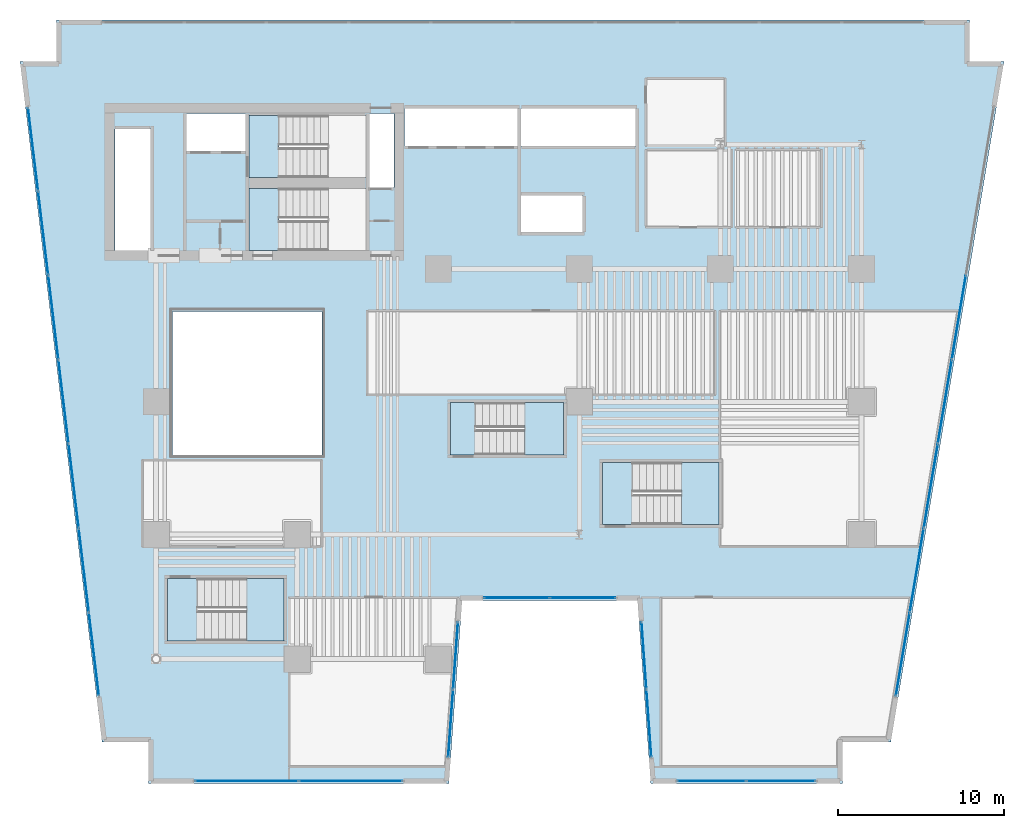
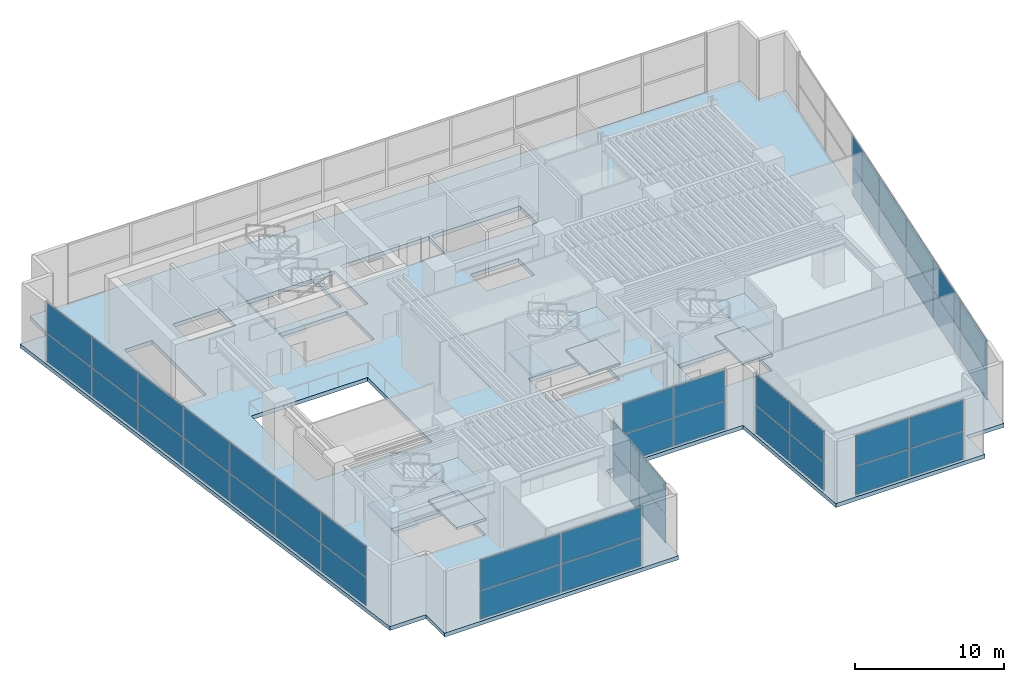
# One storey, part 7 of 16: 44 plates, 12 slabs, 12 elements without a shape of their own.
"""IFC4 building model written with IfcOpenShell, lengths in metres."""

from ifc_helpers import new_model, si_unit, direction, frame, origin, origin_2d, place, context, subcontext, project, spatial, polyline, rectangle, outline, extrude, material, layer, layer_set, type_object, element, aggregate, save


model = new_model("IFC4")

# Units and contexts
model_context = context("Model", 3, precision=1e-05, world=origin(), true_north=direction((0.0, 1.0)))
body_context = subcontext(model_context, "Body", "Model", "MODEL_VIEW")
ifc_project = project(units=[si_unit("LENGTHUNIT", "METRE"), si_unit("AREAUNIT", "SQUARE_METRE"), si_unit("VOLUMEUNIT", "CUBIC_METRE"), si_unit("PLANEANGLEUNIT", "RADIAN"), si_unit("MASSUNIT", "GRAM", prefix="KILO")], contexts=[model_context])

# Site, building, storey
site_placement = place(None, origin())
site = spatial("IfcSite", under=ifc_project, at=site_placement, CompositionType="ELEMENT")
building_placement = place(site_placement, origin())
building = spatial("IfcBuilding", under=site, at=building_placement, Name="Caeloran Harvest Quay", CompositionType="ELEMENT")
storey_placement = place(building_placement, frame((0.0, 0.0, 16.199951171875)))
storey = spatial("IfcBuildingStorey", under=building, at=storey_placement, Name="L04", CompositionType="ELEMENT", Elevation=16.199951171875)

# Curtain wall, plates
ifc_material_1 = material(Name="Aluminium 6063-T6 and Low-E Glazing", Category="aluminium")
ifc_layer_1 = layer(ifc_material_1, 0.179931640625, Name="Aluminium 6063-T6 and Low-E Glazing")
ifc_layer_set_1 = layer_set([ifc_layer_1], Name="Aluminium 6063-T6 and Low-E Glazing")
curtain_wall_type = type_object("IfcCurtainWallType", Name="CW-SYS-CW-1", PredefinedType="USERDEFINED", material=ifc_layer_set_1)
curtain_wall_1_placement = place(storey_placement, origin())
curtain_wall_1 = element("IfcCurtainWall", 1, at=curtain_wall_1_placement, inside=storey, type_object=curtain_wall_type, Name="L04 Unitised Curtain Wall CW-1 Run 3", ObjectType="CURTAIN_WALL", PredefinedType="USERDEFINED")
ifc_material_2 = material(Name="Low-E Double Glazed Vision Glass Unit", Category="glass")
ifc_layer_2 = layer(ifc_material_2, 0.035888671875, Name="Low-E Double Glazed Vision Glass Unit")
ifc_layer_set_2 = layer_set([ifc_layer_2], Name="Low-E Double Glazed Vision Glass Unit")
plate_type = type_object("IfcPlateType", Name="CW-VISION-PANEL", PredefinedType="CURTAIN_PANEL", material=ifc_layer_set_2)
plate_1_placement = place(storey_placement, frame((4.75634765625, 7.78955078125, 0.080078125), z_axis=(0.0, 0.0, 1.0), x_axis=(-0.11965503681, 0.992815527762, 0.0)))
plate_1 = element("IfcPlate", 2, at=plate_1_placement, type_object=plate_type, Name="CW-1 panel 1.1", PredefinedType="CURTAIN_PANEL", context=body_context, shape_type="SweptSolid", body=[
    extrude(rectangle(XDim=4.993408203125, YDim=0.035888671875, at=origin_2d()), origin(), (0.0, 0.0, 1.0), 2.280029296875),
])
plate_2_placement = place(storey_placement, frame((4.75634765625, 7.78955078125, 2.43994140625), z_axis=(0.0, 0.0, 1.0), x_axis=(-0.11965503681, 0.992815527762, 0.0)))
plate_2 = element("IfcPlate", 3, at=plate_2_placement, type_object=plate_type, Name="CW-1 panel 1.2", PredefinedType="CURTAIN_PANEL", context=body_context, shape_type="SweptSolid", body=[
    extrude(rectangle(XDim=4.993408203125, YDim=0.035888671875, at=origin_2d()), origin(), (0.0, 0.0, 1.0), 2.47998046875),
])
plate_3_placement = place(storey_placement, frame((4.146728515625, 12.846435546875, 0.080078125), z_axis=(0.0, 0.0, 1.0), x_axis=(-0.11965503681, 0.992815527762, 0.0)))
plate_3 = element("IfcPlate", 4, at=plate_3_placement, type_object=plate_type, Name="CW-1 panel 2.1", PredefinedType="CURTAIN_PANEL", context=body_context, shape_type="SweptSolid", body=[
    extrude(rectangle(XDim=5.033447265625, YDim=0.035888671875, at=origin_2d()), origin(), (0.0, 0.0, 1.0), 2.280029296875),
])
plate_4_placement = place(storey_placement, frame((4.146728515625, 12.846435546875, 2.43994140625), z_axis=(0.0, 0.0, 1.0), x_axis=(-0.11965503681, 0.992815527762, 0.0)))
plate_4 = element("IfcPlate", 5, at=plate_4_placement, type_object=plate_type, Name="CW-1 panel 2.2", PredefinedType="CURTAIN_PANEL", context=body_context, shape_type="SweptSolid", body=[
    extrude(rectangle(XDim=5.033447265625, YDim=0.035888671875, at=origin_2d()), origin(), (0.0, 0.0, 1.0), 2.47998046875),
])
plate_5_placement = place(storey_placement, frame((3.534912109375, 17.92333984375, 0.080078125), z_axis=(0.0, 0.0, 1.0), x_axis=(-0.11965503681, 0.992815527762, 0.0)))
plate_5 = element("IfcPlate", 6, at=plate_5_placement, type_object=plate_type, Name="CW-1 panel 3.1", PredefinedType="CURTAIN_PANEL", context=body_context, shape_type="SweptSolid", body=[
    extrude(rectangle(XDim=5.033447265625, YDim=0.035888671875, at=origin_2d()), origin(), (0.0, 0.0, 1.0), 2.280029296875),
])
plate_6_placement = place(storey_placement, frame((3.534912109375, 17.92333984375, 2.43994140625), z_axis=(0.0, 0.0, 1.0), x_axis=(-0.11965503681, 0.992815527762, 0.0)))
plate_6 = element("IfcPlate", 7, at=plate_6_placement, type_object=plate_type, Name="CW-1 panel 3.2", PredefinedType="CURTAIN_PANEL", context=body_context, shape_type="SweptSolid", body=[
    extrude(rectangle(XDim=5.033447265625, YDim=0.035888671875, at=origin_2d()), origin(), (0.0, 0.0, 1.0), 2.47998046875),
])
plate_7_placement = place(storey_placement, frame((2.923095703125, 23.0, 0.080078125), z_axis=(0.0, 0.0, 1.0), x_axis=(-0.11965503681, 0.992815527762, 0.0)))
plate_7 = element("IfcPlate", 8, at=plate_7_placement, type_object=plate_type, Name="CW-1 panel 4.1", PredefinedType="CURTAIN_PANEL", context=body_context, shape_type="SweptSolid", body=[
    extrude(rectangle(XDim=5.033447265625, YDim=0.035888671875, at=origin_2d()), origin(), (0.0, 0.0, 1.0), 2.280029296875),
])
plate_8_placement = place(storey_placement, frame((2.923095703125, 23.0, 2.43994140625), z_axis=(0.0, 0.0, 1.0), x_axis=(-0.11965503681, 0.992815527762, 0.0)))
plate_8 = element("IfcPlate", 9, at=plate_8_placement, type_object=plate_type, Name="CW-1 panel 4.2", PredefinedType="CURTAIN_PANEL", context=body_context, shape_type="SweptSolid", body=[
    extrude(rectangle(XDim=5.033447265625, YDim=0.035888671875, at=origin_2d()), origin(), (0.0, 0.0, 1.0), 2.47998046875),
])
plate_9_placement = place(storey_placement, frame((2.311279296875, 28.07666015625, 0.080078125), z_axis=(0.0, 0.0, 1.0), x_axis=(-0.11965503681, 0.992815527762, 0.0)))
plate_9 = element("IfcPlate", 10, at=plate_9_placement, type_object=plate_type, Name="CW-1 panel 5.1", PredefinedType="CURTAIN_PANEL", context=body_context, shape_type="SweptSolid", body=[
    extrude(rectangle(XDim=5.033447265625, YDim=0.035888671875, at=origin_2d()), origin(), (0.0, 0.0, 1.0), 2.280029296875),
])
plate_10_placement = place(storey_placement, frame((2.311279296875, 28.07666015625, 2.43994140625), z_axis=(0.0, 0.0, 1.0), x_axis=(-0.11965503681, 0.992815527762, 0.0)))
plate_10 = element("IfcPlate", 11, at=plate_10_placement, type_object=plate_type, Name="CW-1 panel 5.2", PredefinedType="CURTAIN_PANEL", context=body_context, shape_type="SweptSolid", body=[
    extrude(rectangle(XDim=5.033447265625, YDim=0.035888671875, at=origin_2d()), origin(), (0.0, 0.0, 1.0), 2.47998046875),
])
plate_11_placement = place(storey_placement, frame((1.699462890625, 33.153564453125, 0.080078125), z_axis=(0.0, 0.0, 1.0), x_axis=(-0.11965503681, 0.992815527762, 0.0)))
plate_11 = element("IfcPlate", 12, at=plate_11_placement, type_object=plate_type, Name="CW-1 panel 6.1", PredefinedType="CURTAIN_PANEL", context=body_context, shape_type="SweptSolid", body=[
    extrude(rectangle(XDim=5.033447265625, YDim=0.035888671875, at=origin_2d()), origin(), (0.0, 0.0, 1.0), 2.280029296875),
])
plate_12_placement = place(storey_placement, frame((1.699462890625, 33.153564453125, 2.43994140625), z_axis=(0.0, 0.0, 1.0), x_axis=(-0.11965503681, 0.992815527762, 0.0)))
plate_12 = element("IfcPlate", 13, at=plate_12_placement, type_object=plate_type, Name="CW-1 panel 6.2", PredefinedType="CURTAIN_PANEL", context=body_context, shape_type="SweptSolid", body=[
    extrude(rectangle(XDim=5.033447265625, YDim=0.035888671875, at=origin_2d()), origin(), (0.0, 0.0, 1.0), 2.47998046875),
])
plate_13_placement = place(storey_placement, frame((1.08984375, 38.21044921875, 0.080078125), z_axis=(0.0, 0.0, 1.0), x_axis=(-0.11965503681, 0.992815527762, 0.0)))
plate_13 = element("IfcPlate", 14, at=plate_13_placement, type_object=plate_type, Name="CW-1 panel 7.1", PredefinedType="CURTAIN_PANEL", context=body_context, shape_type="SweptSolid", body=[
    extrude(rectangle(XDim=4.993408203125, YDim=0.035888671875, at=origin_2d()), origin(), (0.0, 0.0, 1.0), 2.280029296875),
])
plate_14_placement = place(storey_placement, frame((1.08984375, 38.21044921875, 2.43994140625), z_axis=(0.0, 0.0, 1.0), x_axis=(-0.11965503681, 0.992815527762, 0.0)))
plate_14 = element("IfcPlate", 15, at=plate_14_placement, type_object=plate_type, Name="CW-1 panel 7.2", PredefinedType="CURTAIN_PANEL", context=body_context, shape_type="SweptSolid", body=[
    extrude(rectangle(XDim=4.993408203125, YDim=0.035888671875, at=origin_2d()), origin(), (0.0, 0.0, 1.0), 2.47998046875),
])
aggregate(curtain_wall_1, [plate_1, plate_2, plate_3, plate_4, plate_5, plate_6, plate_7, plate_8, plate_9, plate_10, plate_11, plate_12, plate_13, plate_14])

curtain_wall_2_placement = place(storey_placement, origin())
curtain_wall_2 = element("IfcCurtainWall", 16, at=curtain_wall_2_placement, inside=storey, type_object=curtain_wall_type, Name="L04 Unitised Curtain Wall CW-1 Run 9", ObjectType="CURTAIN_WALL", PredefinedType="USERDEFINED")
plate_15_placement = place(storey_placement, frame((56.86572265625, 28.08154296875, 0.080078125), z_axis=(0.0, 0.0, 1.0), x_axis=(-0.164174131837, -0.986431373404, 0.0)))
plate_15 = element("IfcPlate", 17, at=plate_15_placement, type_object=plate_type, Name="CW-1 panel 3.1", PredefinedType="CURTAIN_PANEL", context=body_context, shape_type="SweptSolid", body=[
    extrude(rectangle(XDim=5.071533203125, YDim=0.035888671875, at=origin_2d()), origin(), (0.0, 0.0, 1.0), 2.280029296875),
])
plate_16_placement = place(storey_placement, frame((56.86572265625, 28.08154296875, 2.43994140625), z_axis=(0.0, 0.0, 1.0), x_axis=(-0.164174131837, -0.986431373404, 0.0)))
plate_16 = element("IfcPlate", 18, at=plate_16_placement, type_object=plate_type, Name="CW-1 panel 3.2", PredefinedType="CURTAIN_PANEL", context=body_context, shape_type="SweptSolid", body=[
    extrude(rectangle(XDim=5.071533203125, YDim=0.035888671875, at=origin_2d()), origin(), (0.0, 0.0, 1.0), 2.47998046875),
])
plate_17_placement = place(storey_placement, frame((56.02001953125, 23.0, 0.080078125), z_axis=(0.0, 0.0, 1.0), x_axis=(-0.164174131837, -0.986431373404, 0.0)))
plate_17 = element("IfcPlate", 19, at=plate_17_placement, type_object=plate_type, Name="CW-1 panel 4.1", PredefinedType="CURTAIN_PANEL", context=body_context, shape_type="SweptSolid", body=[
    extrude(rectangle(XDim=5.071533203125, YDim=0.035888671875, at=origin_2d()), origin(), (0.0, 0.0, 1.0), 2.280029296875),
])
plate_18_placement = place(storey_placement, frame((56.02001953125, 23.0, 2.43994140625), z_axis=(0.0, 0.0, 1.0), x_axis=(-0.164174131837, -0.986431373404, 0.0)))
plate_18 = element("IfcPlate", 20, at=plate_18_placement, type_object=plate_type, Name="CW-1 panel 4.2", PredefinedType="CURTAIN_PANEL", context=body_context, shape_type="SweptSolid", body=[
    extrude(rectangle(XDim=5.071533203125, YDim=0.035888671875, at=origin_2d()), origin(), (0.0, 0.0, 1.0), 2.47998046875),
])
plate_19_placement = place(storey_placement, frame((55.17431640625, 17.91845703125, 0.080078125), z_axis=(0.0, 0.0, 1.0), x_axis=(-0.164174131837, -0.986431373404, 0.0)))
plate_19 = element("IfcPlate", 21, at=plate_19_placement, type_object=plate_type, Name="CW-1 panel 5.1", PredefinedType="CURTAIN_PANEL", context=body_context, shape_type="SweptSolid", body=[
    extrude(rectangle(XDim=5.071533203125, YDim=0.035888671875, at=origin_2d()), origin(), (0.0, 0.0, 1.0), 2.280029296875),
])
plate_20_placement = place(storey_placement, frame((55.17431640625, 17.91845703125, 2.43994140625), z_axis=(0.0, 0.0, 1.0), x_axis=(-0.164174131837, -0.986431373404, 0.0)))
plate_20 = element("IfcPlate", 22, at=plate_20_placement, type_object=plate_type, Name="CW-1 panel 5.2", PredefinedType="CURTAIN_PANEL", context=body_context, shape_type="SweptSolid", body=[
    extrude(rectangle(XDim=5.071533203125, YDim=0.035888671875, at=origin_2d()), origin(), (0.0, 0.0, 1.0), 2.47998046875),
])
plate_21_placement = place(storey_placement, frame((54.32861328125, 12.8369140625, 0.080078125), z_axis=(0.0, 0.0, 1.0), x_axis=(-0.164174131837, -0.986431373404, 0.0)))
plate_21 = element("IfcPlate", 23, at=plate_21_placement, type_object=plate_type, Name="CW-1 panel 6.1", PredefinedType="CURTAIN_PANEL", context=body_context, shape_type="SweptSolid", body=[
    extrude(rectangle(XDim=5.071533203125, YDim=0.035888671875, at=origin_2d()), origin(), (0.0, 0.0, 1.0), 2.280029296875),
])
plate_22_placement = place(storey_placement, frame((54.32861328125, 12.8369140625, 2.43994140625), z_axis=(0.0, 0.0, 1.0), x_axis=(-0.164174131837, -0.986431373404, 0.0)))
plate_22 = element("IfcPlate", 24, at=plate_22_placement, type_object=plate_type, Name="CW-1 panel 6.2", PredefinedType="CURTAIN_PANEL", context=body_context, shape_type="SweptSolid", body=[
    extrude(rectangle(XDim=5.071533203125, YDim=0.035888671875, at=origin_2d()), origin(), (0.0, 0.0, 1.0), 2.47998046875),
])
plate_23_placement = place(storey_placement, frame((53.486083984375, 7.775146484375, 0.080078125), z_axis=(0.0, 0.0, 1.0), x_axis=(-0.164174131837, -0.986431373404, 0.0)))
plate_23 = element("IfcPlate", 25, at=plate_23_placement, type_object=plate_type, Name="CW-1 panel 7.1", PredefinedType="CURTAIN_PANEL", context=body_context, shape_type="SweptSolid", body=[
    extrude(rectangle(XDim=5.031494140625, YDim=0.035888671875, at=origin_2d()), origin(), (0.0, 0.0, 1.0), 2.280029296875),
])
plate_24_placement = place(storey_placement, frame((53.486083984375, 7.775146484375, 2.43994140625), z_axis=(0.0, 0.0, 1.0), x_axis=(-0.164174131837, -0.986431373404, 0.0)))
plate_24 = element("IfcPlate", 26, at=plate_24_placement, type_object=plate_type, Name="CW-1 panel 7.2", PredefinedType="CURTAIN_PANEL", context=body_context, shape_type="SweptSolid", body=[
    extrude(rectangle(XDim=5.031494140625, YDim=0.035888671875, at=origin_2d()), origin(), (0.0, 0.0, 1.0), 2.47998046875),
])
aggregate(curtain_wall_2, [plate_15, plate_16, plate_17, plate_18, plate_19, plate_20, plate_21, plate_22, plate_23, plate_24])

curtain_wall_3_placement = place(storey_placement, origin())
curtain_wall_3 = element("IfcCurtainWall", 27, at=curtain_wall_3_placement, inside=storey, type_object=curtain_wall_type, Name="L04 Unitised Curtain Wall CW-1 Run 12", ObjectType="CURTAIN_WALL", PredefinedType="USERDEFINED")
plate_25_placement = place(storey_placement, frame((46.161376953125, 0.14990234375, 0.080078125), z_axis=(0.0, 0.0, 1.0), x_axis=(-1.0, 0.0, 0.0)))
plate_25 = element("IfcPlate", 28, at=plate_25_placement, type_object=plate_type, Name="CW-1 panel 1.1", PredefinedType="CURTAIN_PANEL", context=body_context, shape_type="SweptSolid", body=[
    extrude(rectangle(XDim=4.105224609375, YDim=0.035888671875, at=origin_2d()), origin(), (0.0, 0.0, 1.0), 2.280029296875),
])
plate_26_placement = place(storey_placement, frame((46.161376953125, 0.14990234375, 2.43994140625), z_axis=(0.0, 0.0, 1.0), x_axis=(-1.0, 0.0, 0.0)))
plate_26 = element("IfcPlate", 29, at=plate_26_placement, type_object=plate_type, Name="CW-1 panel 1.2", PredefinedType="CURTAIN_PANEL", context=body_context, shape_type="SweptSolid", body=[
    extrude(rectangle(XDim=4.105224609375, YDim=0.035888671875, at=origin_2d()), origin(), (0.0, 0.0, 1.0), 2.47998046875),
])
plate_27_placement = place(storey_placement, frame((41.97607421875, 0.14990234375, 0.080078125), z_axis=(0.0, 0.0, 1.0), x_axis=(-1.0, 0.0, 0.0)))
plate_27 = element("IfcPlate", 30, at=plate_27_placement, type_object=plate_type, Name="CW-1 panel 2.1", PredefinedType="CURTAIN_PANEL", context=body_context, shape_type="SweptSolid", body=[
    extrude(rectangle(XDim=4.105224609375, YDim=0.035888671875, at=origin_2d()), origin(), (0.0, 0.0, 1.0), 2.280029296875),
])
plate_28_placement = place(storey_placement, frame((41.97607421875, 0.14990234375, 2.43994140625), z_axis=(0.0, 0.0, 1.0), x_axis=(-1.0, 0.0, 0.0)))
plate_28 = element("IfcPlate", 31, at=plate_28_placement, type_object=plate_type, Name="CW-1 panel 2.2", PredefinedType="CURTAIN_PANEL", context=body_context, shape_type="SweptSolid", body=[
    extrude(rectangle(XDim=4.105224609375, YDim=0.035888671875, at=origin_2d()), origin(), (0.0, 0.0, 1.0), 2.47998046875),
])
aggregate(curtain_wall_3, [plate_25, plate_26, plate_27, plate_28])

curtain_wall_4_placement = place(storey_placement, origin())
curtain_wall_4 = element("IfcCurtainWall", 32, at=curtain_wall_4_placement, inside=storey, type_object=curtain_wall_type, Name="L04 Unitised Curtain Wall CW-1 Run 13", ObjectType="CURTAIN_WALL", PredefinedType="USERDEFINED")
plate_29_placement = place(storey_placement, frame((38.19140625, 3.628173828125, 0.080078125), z_axis=(0.0, 0.0, 1.0), x_axis=(-0.072270599173, 0.997385061295, 0.0)))
plate_29 = element("IfcPlate", 33, at=plate_29_placement, type_object=plate_type, Name="CW-1 panel 1.1", PredefinedType="CURTAIN_PANEL", context=body_context, shape_type="SweptSolid", body=[
    extrude(rectangle(XDim=4.014404296875, YDim=0.035888671875, at=origin_2d()), origin(), (0.0, 0.0, 1.0), 2.280029296875),
])
plate_30_placement = place(storey_placement, frame((38.19140625, 3.628173828125, 2.43994140625), z_axis=(0.0, 0.0, 1.0), x_axis=(-0.072270599173, 0.997385061295, 0.0)))
plate_30 = element("IfcPlate", 34, at=plate_30_placement, type_object=plate_type, Name="CW-1 panel 1.2", PredefinedType="CURTAIN_PANEL", context=body_context, shape_type="SweptSolid", body=[
    extrude(rectangle(XDim=4.014404296875, YDim=0.035888671875, at=origin_2d()), origin(), (0.0, 0.0, 1.0), 2.47998046875),
])
plate_31_placement = place(storey_placement, frame((37.8955078125, 7.7119140625, 0.080078125), z_axis=(0.0, 0.0, 1.0), x_axis=(-0.072270599173, 0.997385061295, 0.0)))
plate_31 = element("IfcPlate", 35, at=plate_31_placement, type_object=plate_type, Name="CW-1 panel 2.1", PredefinedType="CURTAIN_PANEL", context=body_context, shape_type="SweptSolid", body=[
    extrude(rectangle(XDim=4.014404296875, YDim=0.035888671875, at=origin_2d()), origin(), (0.0, 0.0, 1.0), 2.280029296875),
])
plate_32_placement = place(storey_placement, frame((37.8955078125, 7.7119140625, 2.43994140625), z_axis=(0.0, 0.0, 1.0), x_axis=(-0.072270599173, 0.997385061295, 0.0)))
plate_32 = element("IfcPlate", 36, at=plate_32_placement, type_object=plate_type, Name="CW-1 panel 2.2", PredefinedType="CURTAIN_PANEL", context=body_context, shape_type="SweptSolid", body=[
    extrude(rectangle(XDim=4.014404296875, YDim=0.035888671875, at=origin_2d()), origin(), (0.0, 0.0, 1.0), 2.47998046875),
])
aggregate(curtain_wall_4, [plate_29, plate_30, plate_31, plate_32])

curtain_wall_5_placement = place(storey_placement, origin())
curtain_wall_5 = element("IfcCurtainWall", 37, at=curtain_wall_5_placement, inside=storey, type_object=curtain_wall_type, Name="L04 Unitised Curtain Wall CW-1 Run 14", ObjectType="CURTAIN_WALL", PredefinedType="USERDEFINED")
plate_33_placement = place(storey_placement, frame((34.211669921875, 11.18994140625, 0.080078125), z_axis=(0.0, 0.0, 1.0), x_axis=(-1.0, 0.0, 0.0)))
plate_33 = element("IfcPlate", 38, at=plate_33_placement, type_object=plate_type, Name="CW-1 panel 1.1", PredefinedType="CURTAIN_PANEL", context=body_context, shape_type="SweptSolid", body=[
    extrude(rectangle(XDim=3.903564453125, YDim=0.035888671875, at=origin_2d()), origin(), (0.0, 0.0, 1.0), 2.280029296875),
])
plate_34_placement = place(storey_placement, frame((34.211669921875, 11.18994140625, 2.43994140625), z_axis=(0.0, 0.0, 1.0), x_axis=(-1.0, 0.0, 0.0)))
plate_34 = element("IfcPlate", 39, at=plate_34_placement, type_object=plate_type, Name="CW-1 panel 1.2", PredefinedType="CURTAIN_PANEL", context=body_context, shape_type="SweptSolid", body=[
    extrude(rectangle(XDim=3.903564453125, YDim=0.035888671875, at=origin_2d()), origin(), (0.0, 0.0, 1.0), 2.47998046875),
])
plate_35_placement = place(storey_placement, frame((30.228271484375, 11.18994140625, 0.080078125), z_axis=(0.0, 0.0, 1.0), x_axis=(-1.0, 0.0, 0.0)))
plate_35 = element("IfcPlate", 40, at=plate_35_placement, type_object=plate_type, Name="CW-1 panel 2.1", PredefinedType="CURTAIN_PANEL", context=body_context, shape_type="SweptSolid", body=[
    extrude(rectangle(XDim=3.903564453125, YDim=0.035888671875, at=origin_2d()), origin(), (0.0, 0.0, 1.0), 2.280029296875),
])
plate_36_placement = place(storey_placement, frame((30.228271484375, 11.18994140625, 2.43994140625), z_axis=(0.0, 0.0, 1.0), x_axis=(-1.0, 0.0, 0.0)))
plate_36 = element("IfcPlate", 41, at=plate_36_placement, type_object=plate_type, Name="CW-1 panel 2.2", PredefinedType="CURTAIN_PANEL", context=body_context, shape_type="SweptSolid", body=[
    extrude(rectangle(XDim=3.903564453125, YDim=0.035888671875, at=origin_2d()), origin(), (0.0, 0.0, 1.0), 2.47998046875),
])
aggregate(curtain_wall_5, [plate_33, plate_34, plate_35, plate_36])

curtain_wall_6_placement = place(storey_placement, origin())
curtain_wall_6 = element("IfcCurtainWall", 42, at=curtain_wall_6_placement, inside=storey, type_object=curtain_wall_type, Name="L04 Unitised Curtain Wall CW-1 Run 15", ObjectType="CURTAIN_WALL", PredefinedType="USERDEFINED")
plate_37_placement = place(storey_placement, frame((26.54443359375, 7.7119140625, 0.080078125), z_axis=(0.0, 0.0, 1.0), x_axis=(-0.072270599173, -0.997385061295, 0.0)))
plate_37 = element("IfcPlate", 43, at=plate_37_placement, type_object=plate_type, Name="CW-1 panel 1.1", PredefinedType="CURTAIN_PANEL", context=body_context, shape_type="SweptSolid", body=[
    extrude(rectangle(XDim=4.014404296875, YDim=0.035888671875, at=origin_2d()), origin(), (0.0, 0.0, 1.0), 2.280029296875),
])
plate_38_placement = place(storey_placement, frame((26.54443359375, 7.7119140625, 2.43994140625), z_axis=(0.0, 0.0, 1.0), x_axis=(-0.072270599173, -0.997385061295, 0.0)))
plate_38 = element("IfcPlate", 44, at=plate_38_placement, type_object=plate_type, Name="CW-1 panel 1.2", PredefinedType="CURTAIN_PANEL", context=body_context, shape_type="SweptSolid", body=[
    extrude(rectangle(XDim=4.014404296875, YDim=0.035888671875, at=origin_2d()), origin(), (0.0, 0.0, 1.0), 2.47998046875),
])
plate_39_placement = place(storey_placement, frame((26.24853515625, 3.628173828125, 0.080078125), z_axis=(0.0, 0.0, 1.0), x_axis=(-0.072270599173, -0.997385061295, 0.0)))
plate_39 = element("IfcPlate", 45, at=plate_39_placement, type_object=plate_type, Name="CW-1 panel 2.1", PredefinedType="CURTAIN_PANEL", context=body_context, shape_type="SweptSolid", body=[
    extrude(rectangle(XDim=4.014404296875, YDim=0.035888671875, at=origin_2d()), origin(), (0.0, 0.0, 1.0), 2.280029296875),
])
plate_40_placement = place(storey_placement, frame((26.24853515625, 3.628173828125, 2.43994140625), z_axis=(0.0, 0.0, 1.0), x_axis=(-0.072270599173, -0.997385061295, 0.0)))
plate_40 = element("IfcPlate", 46, at=plate_40_placement, type_object=plate_type, Name="CW-1 panel 2.2", PredefinedType="CURTAIN_PANEL", context=body_context, shape_type="SweptSolid", body=[
    extrude(rectangle(XDim=4.014404296875, YDim=0.035888671875, at=origin_2d()), origin(), (0.0, 0.0, 1.0), 2.47998046875),
])
aggregate(curtain_wall_6, [plate_37, plate_38, plate_39, plate_40])

curtain_wall_7_placement = place(storey_placement, origin())
curtain_wall_7 = element("IfcCurtainWall", 47, at=curtain_wall_7_placement, inside=storey, type_object=curtain_wall_type, Name="L04 Unitised Curtain Wall CW-1 Run 16", ObjectType="CURTAIN_WALL", PredefinedType="USERDEFINED")
plate_41_placement = place(storey_placement, frame((20.225830078125, 0.14990234375, 0.080078125), z_axis=(0.0, 0.0, 1.0), x_axis=(-1.0, 0.0, 0.0)))
plate_41 = element("IfcPlate", 48, at=plate_41_placement, type_object=plate_type, Name="CW-1 panel 1.1", PredefinedType="CURTAIN_PANEL", context=body_context, shape_type="SweptSolid", body=[
    extrude(rectangle(XDim=6.18115234375, YDim=0.035888671875, at=origin_2d()), origin(), (0.0, 0.0, 1.0), 2.280029296875),
])
plate_42_placement = place(storey_placement, frame((20.225830078125, 0.14990234375, 2.43994140625), z_axis=(0.0, 0.0, 1.0), x_axis=(-1.0, 0.0, 0.0)))
plate_42 = element("IfcPlate", 49, at=plate_42_placement, type_object=plate_type, Name="CW-1 panel 1.2", PredefinedType="CURTAIN_PANEL", context=body_context, shape_type="SweptSolid", body=[
    extrude(rectangle(XDim=6.18115234375, YDim=0.035888671875, at=origin_2d()), origin(), (0.0, 0.0, 1.0), 2.47998046875),
])
plate_43_placement = place(storey_placement, frame((13.964599609375, 0.14990234375, 0.080078125), z_axis=(0.0, 0.0, 1.0), x_axis=(-1.0, 0.0, 0.0)))
plate_43 = element("IfcPlate", 50, at=plate_43_placement, type_object=plate_type, Name="CW-1 panel 2.1", PredefinedType="CURTAIN_PANEL", context=body_context, shape_type="SweptSolid", body=[
    extrude(rectangle(XDim=6.18115234375, YDim=0.035888671875, at=origin_2d()), origin(), (0.0, 0.0, 1.0), 2.280029296875),
])
plate_44_placement = place(storey_placement, frame((13.964599609375, 0.14990234375, 2.43994140625), z_axis=(0.0, 0.0, 1.0), x_axis=(-1.0, 0.0, 0.0)))
plate_44 = element("IfcPlate", 51, at=plate_44_placement, type_object=plate_type, Name="CW-1 panel 2.2", PredefinedType="CURTAIN_PANEL", context=body_context, shape_type="SweptSolid", body=[
    extrude(rectangle(XDim=6.18115234375, YDim=0.035888671875, at=origin_2d()), origin(), (0.0, 0.0, 1.0), 2.47998046875),
])
aggregate(curtain_wall_7, [plate_41, plate_42, plate_43, plate_44])

# Slab
ifc_material_3 = material(Name="Concrete C50/60", Category="concrete")
ifc_layer_3 = layer(ifc_material_3, 0.320068359375, Name="Concrete C50/60")
ifc_layer_set_3 = layer_set([ifc_layer_3], Name="Concrete C50/60")
slab_type_1 = type_object("IfcSlabType", Name="SLAB-FS-320", PredefinedType="FLOOR", material=ifc_layer_set_3)
slab_1_placement = place(storey_placement, frame((0.0, 0.0, -0.320068359375)))
element("IfcSlab", 52, at=slab_1_placement, inside=storey, type_object=slab_type_1, Name="L04 Structural Floor Slab", PredefinedType="FLOOR", context=body_context, shape_type="SweptSolid", body=[
    extrude(outline(polyline([(8.0439453125, 0.0), (26.135986328125, 0.0), (26.93603515625, 11.0400390625), (37.50390625, 11.0400390625), (38.303955078125, 0.0), (49.843994140625, 0.0), (49.843994140625, 2.5), (52.760009765625, 2.5), (59.583984375, 43.5), (57.5, 43.5), (57.5, 46.0), (2.5, 46.0), (2.5, 43.5), (0.30126953125, 43.5), (5.24267578125, 2.5), (8.0439453125, 2.5), (8.0439453125, 0.0)]), holes=[polyline([(11.0, 8.60009765625), (11.0, 12.35009765625), (16.199951171875, 12.35009765625), (16.199951171875, 8.60009765625), (11.0, 8.60009765625)]), polyline([(9.5, 19.800048828125), (9.5, 28.449951171875), (18.5, 28.449951171875), (18.5, 19.800048828125), (9.5, 19.800048828125)]), polyline([(15.89990234375, 35.85009765625), (21.14990234375, 35.85009765625), (21.14990234375, 32.10009765625), (15.89990234375, 32.10009765625), (15.89990234375, 35.85009765625)]), polyline([(8.159912109375, 32.1201171875), (6.02001953125, 32.1201171875), (6.02001953125, 39.419921875), (8.159912109375, 39.419921875), (8.159912109375, 32.1201171875)]), polyline([(15.89990234375, 40.25), (21.14990234375, 40.25), (21.14990234375, 36.5), (15.89990234375, 36.5), (15.89990234375, 40.25)]), polyline([(10.320068359375, 38.1201171875), (10.320068359375, 40.3798828125), (13.89990234375, 40.3798828125), (13.89990234375, 38.1201171875), (10.320068359375, 38.1201171875)]), polyline([(37.199951171875, 15.60009765625), (37.199951171875, 19.35009765625), (42.39990234375, 19.35009765625), (42.39990234375, 15.60009765625), (37.199951171875, 15.60009765625)]), polyline([(27.75, 22.949951171875), (33.050048828125, 22.949951171875), (33.050048828125, 19.800048828125), (27.75, 19.800048828125), (27.75, 22.949951171875)]), polyline([(30.47998046875, 33.219970703125), (30.47998046875, 35.429931640625), (34.199951171875, 35.429931640625), (34.199951171875, 33.219970703125), (30.47998046875, 33.219970703125)]), polyline([(22.830078125, 35.919921875), (21.35009765625, 35.919921875), (21.35009765625, 40.3798828125), (22.830078125, 40.3798828125), (22.830078125, 35.919921875)]), polyline([(23.469970703125, 38.419921875), (23.469970703125, 40.679931640625), (30.280029296875, 40.679931640625), (30.280029296875, 38.419921875), (23.469970703125, 38.419921875)]), polyline([(30.47998046875, 38.419921875), (30.47998046875, 40.679931640625), (37.3798828125, 40.679931640625), (37.3798828125, 38.419921875), (30.47998046875, 38.419921875)])]), origin(), (0.0, 0.0, 1.0), 0.320068359375),
])

# Stair, slab
stair_type_1 = type_object("IfcStairType", Name="STAIR-STC-180", PredefinedType="HALF_TURN_STAIR", material=ifc_material_3)
stair_1_placement = place(storey_placement, origin())
stair_1 = element("IfcStair", 53, at=stair_1_placement, inside=storey, type_object=stair_type_1, Name="L04 Core Pressurized Exit Stair ST-C1", PredefinedType="HALF_TURN_STAIR")
ifc_layer_4 = layer(ifc_material_3, 0.219970703125, Name="Concrete C50/60")
ifc_layer_set_4 = layer_set([ifc_layer_4], Name="Concrete C50/60")
slab_type_2 = type_object("IfcSlabType", Name="STAIR-LANDING-220", PredefinedType="LANDING", material=ifc_layer_set_4)
slab_2_placement = place(storey_placement, frame((0.0, 0.0, 2.5)))
slab_2 = element("IfcSlab", 54, at=slab_2_placement, type_object=slab_type_2, Name="ST-C1 landing 2", PredefinedType="LANDING", context=body_context, shape_type="SweptSolid", body=[
    extrude(outline(polyline([(14.10009765625, 36.5), (15.89990234375, 36.5), (15.89990234375, 40.25), (14.10009765625, 40.25), (14.10009765625, 36.5)])), origin(), (0.0, 0.0, 1.0), 0.199951171875),
])
aggregate(stair_1, [slab_2])

stair_2_placement = place(storey_placement, origin())
stair_2 = element("IfcStair", 55, at=stair_2_placement, inside=storey, type_object=stair_type_1, Name="L04 Core Pressurized Exit Stair ST-C2", PredefinedType="HALF_TURN_STAIR")
slab_3_placement = place(storey_placement, frame((0.0, 0.0, 2.5)))
slab_3 = element("IfcSlab", 56, at=slab_3_placement, type_object=slab_type_2, Name="ST-C2 landing 2", PredefinedType="LANDING", context=body_context, shape_type="SweptSolid", body=[
    extrude(outline(polyline([(14.10009765625, 32.10009765625), (15.89990234375, 32.10009765625), (15.89990234375, 35.85009765625), (14.10009765625, 35.85009765625), (14.10009765625, 32.10009765625)])), origin(), (0.0, 0.0, 1.0), 0.199951171875),
])
aggregate(stair_2, [slab_3])

# Stair, slabs
stair_type_2 = type_object("IfcStairType", Name="STAIR-STW-150", PredefinedType="HALF_TURN_STAIR", material=ifc_material_3)
stair_3_placement = place(storey_placement, origin())
stair_3 = element("IfcStair", 57, at=stair_3_placement, inside=storey, type_object=stair_type_2, Name="L04 East Wing Protected Exit Stair ST-W1", PredefinedType="HALF_TURN_STAIR")
slab_4_placement = place(storey_placement, frame((0.0, 0.0, 1.150146484375)))
slab_4 = element("IfcSlab", 58, at=slab_4_placement, type_object=slab_type_2, Name="ST-W1 landing 1", PredefinedType="LANDING", context=body_context, shape_type="SweptSolid", body=[
    extrude(outline(polyline([(30.68994140625, 19.800048828125), (33.050048828125, 19.800048828125), (33.050048828125, 22.949951171875), (30.68994140625, 22.949951171875), (30.68994140625, 19.800048828125)])), origin(), (0.0, 0.0, 1.0), 0.199951171875),
])
slab_5_placement = place(storey_placement, frame((0.0, 0.0, 2.5)))
slab_5 = element("IfcSlab", 59, at=slab_5_placement, type_object=slab_type_2, Name="ST-W1 landing 2", PredefinedType="LANDING", context=body_context, shape_type="SweptSolid", body=[
    extrude(outline(polyline([(26.25, 19.800048828125), (27.75, 19.800048828125), (27.75, 22.949951171875), (26.25, 22.949951171875), (26.25, 19.800048828125)])), origin(), (0.0, 0.0, 1.0), 0.199951171875),
])
slab_6_placement = place(storey_placement, frame((0.0, 0.0, 3.85009765625)))
slab_6 = element("IfcSlab", 60, at=slab_6_placement, type_object=slab_type_2, Name="ST-W1 landing 3", PredefinedType="LANDING", context=body_context, shape_type="SweptSolid", body=[
    extrude(outline(polyline([(30.68994140625, 19.800048828125), (33.050048828125, 19.800048828125), (33.050048828125, 22.949951171875), (30.68994140625, 22.949951171875), (30.68994140625, 19.800048828125)])), origin(), (0.0, 0.0, 1.0), 0.199951171875),
])
aggregate(stair_3, [slab_4, slab_5, slab_6])

stair_type_3 = type_object("IfcStairType", Name="STAIR-STP-180", PredefinedType="HALF_TURN_STAIR", material=ifc_material_3)
stair_4_placement = place(storey_placement, origin())
stair_4 = element("IfcStair", 61, at=stair_4_placement, inside=storey, type_object=stair_type_3, Name="L04 Podium West Public Exit Stair ST-P1", PredefinedType="HALF_TURN_STAIR")
slab_7_placement = place(storey_placement, frame((0.0, 0.0, 1.150146484375)))
slab_7 = element("IfcSlab", 62, at=slab_7_placement, type_object=slab_type_2, Name="ST-P1 landing 1", PredefinedType="LANDING", context=body_context, shape_type="SweptSolid", body=[
    extrude(outline(polyline([(13.93994140625, 8.60009765625), (16.199951171875, 8.60009765625), (16.199951171875, 12.35009765625), (13.93994140625, 12.35009765625), (13.93994140625, 8.60009765625)])), origin(), (0.0, 0.0, 1.0), 0.199951171875),
])
slab_8_placement = place(storey_placement, frame((0.0, 0.0, 2.5)))
slab_8 = element("IfcSlab", 63, at=slab_8_placement, type_object=slab_type_2, Name="ST-P1 landing 2", PredefinedType="LANDING", context=body_context, shape_type="SweptSolid", body=[
    extrude(outline(polyline([(9.199951171875, 8.60009765625), (11.0, 8.60009765625), (11.0, 12.35009765625), (9.199951171875, 12.35009765625), (9.199951171875, 8.60009765625)])), origin(), (0.0, 0.0, 1.0), 0.199951171875),
])
slab_9_placement = place(storey_placement, frame((0.0, 0.0, 3.85009765625)))
slab_9 = element("IfcSlab", 64, at=slab_9_placement, type_object=slab_type_2, Name="ST-P1 landing 3", PredefinedType="LANDING", context=body_context, shape_type="SweptSolid", body=[
    extrude(outline(polyline([(13.93994140625, 8.60009765625), (16.199951171875, 8.60009765625), (16.199951171875, 12.35009765625), (13.93994140625, 12.35009765625), (13.93994140625, 8.60009765625)])), origin(), (0.0, 0.0, 1.0), 0.199951171875),
])
aggregate(stair_4, [slab_7, slab_8, slab_9])

stair_5_placement = place(storey_placement, origin())
stair_5 = element("IfcStair", 65, at=stair_5_placement, inside=storey, type_object=stair_type_3, Name="L04 Podium East Public Exit Stair ST-P2", PredefinedType="HALF_TURN_STAIR")
slab_10_placement = place(storey_placement, frame((0.0, 0.0, 1.150146484375)))
slab_10 = element("IfcSlab", 66, at=slab_10_placement, type_object=slab_type_2, Name="ST-P2 landing 1", PredefinedType="LANDING", context=body_context, shape_type="SweptSolid", body=[
    extrude(outline(polyline([(40.139892578125, 15.60009765625), (42.39990234375, 15.60009765625), (42.39990234375, 19.35009765625), (40.139892578125, 19.35009765625), (40.139892578125, 15.60009765625)])), origin(), (0.0, 0.0, 1.0), 0.199951171875),
])
slab_11_placement = place(storey_placement, frame((0.0, 0.0, 2.5)))
slab_11 = element("IfcSlab", 67, at=slab_11_placement, type_object=slab_type_2, Name="ST-P2 landing 2", PredefinedType="LANDING", context=body_context, shape_type="SweptSolid", body=[
    extrude(outline(polyline([(35.39990234375, 15.60009765625), (37.199951171875, 15.60009765625), (37.199951171875, 19.35009765625), (35.39990234375, 19.35009765625), (35.39990234375, 15.60009765625)])), origin(), (0.0, 0.0, 1.0), 0.199951171875),
])
slab_12_placement = place(storey_placement, frame((0.0, 0.0, 3.85009765625)))
slab_12 = element("IfcSlab", 68, at=slab_12_placement, type_object=slab_type_2, Name="ST-P2 landing 3", PredefinedType="LANDING", context=body_context, shape_type="SweptSolid", body=[
    extrude(outline(polyline([(40.139892578125, 15.60009765625), (42.39990234375, 15.60009765625), (42.39990234375, 19.35009765625), (40.139892578125, 19.35009765625), (40.139892578125, 15.60009765625)])), origin(), (0.0, 0.0, 1.0), 0.199951171875),
])
aggregate(stair_5, [slab_10, slab_11, slab_12])

save(model, "model.ifc")
